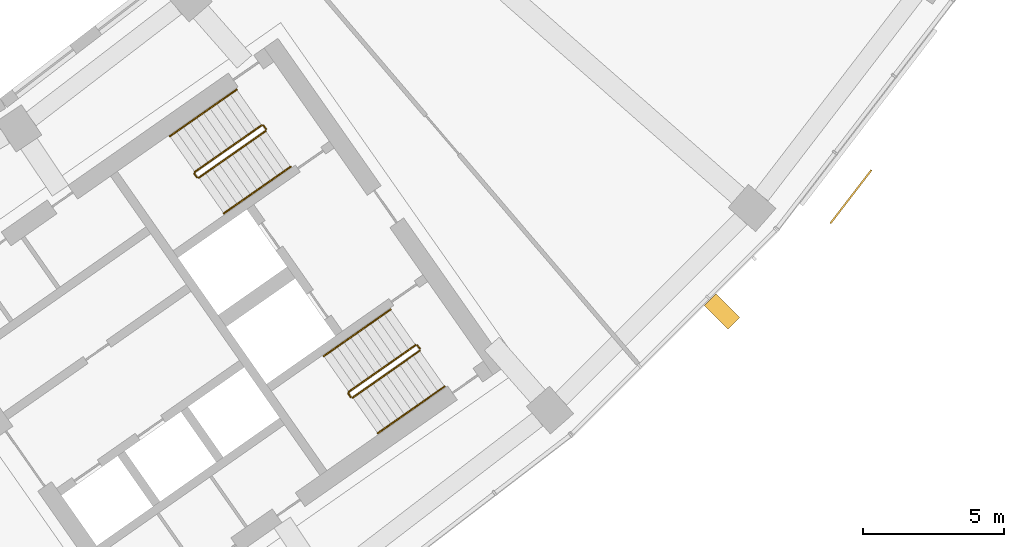
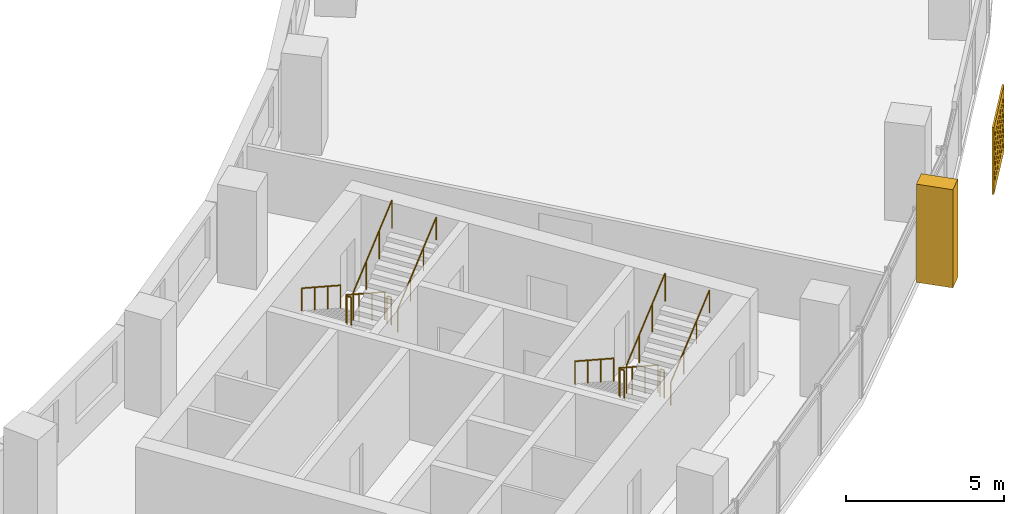
# One storey, part 26 of 26: 10 railings, 2 shading devices.
"""IFC4 building model written with IfcOpenShell, lengths in metres."""

from ifc_helpers import new_model, si_unit, direction, frame, origin, origin_2d, place, context, subcontext, project, spatial, polyline, circle, outline, extrude, material, material_profile, profile_set, type_object, element, save


model = new_model("IFC4")

# Units and contexts
model_context = context("Model", 3, precision=1e-05, world=origin(), true_north=direction((0.0, 1.0)))
body_context = subcontext(model_context, "Body", "Model", "MODEL_VIEW")
ifc_project = project(units=[si_unit("LENGTHUNIT", "METRE"), si_unit("AREAUNIT", "SQUARE_METRE"), si_unit("VOLUMEUNIT", "CUBIC_METRE"), si_unit("PLANEANGLEUNIT", "RADIAN"), si_unit("MASSUNIT", "GRAM", prefix="KILO")], contexts=[model_context])

# Site, building, storey
site_placement = place(None, origin())
site = spatial("IfcSite", under=ifc_project, at=site_placement, CompositionType="ELEMENT")
building_placement = place(site_placement, origin())
building = spatial("IfcBuilding", under=site, at=building_placement, Name="Qamariyya Broadcast Tower", CompositionType="ELEMENT")
storey_placement = place(building_placement, frame((0.0, 0.0, 183.5)))
storey = spatial("IfcBuildingStorey", under=building, at=storey_placement, Name="L43", CompositionType="ELEMENT", Elevation=183.5)

# Shading devices
ifc_material_1 = material(Name="Steel S355 powder coated deep red", Category="steel")
shading_device_type_1 = type_object("IfcShadingDeviceType", Name="Deep red frame, powder coated steel box section", PredefinedType="USERDEFINED", material=ifc_material_1)
shading_device_1_placement = place(storey_placement, origin())
element("IfcShadingDevice", 1, at=shading_device_1_placement, inside=storey, type_object=shading_device_type_1, Name="e-frm-B3-F5-postb-L43", ObjectType="FRAME", PredefinedType="USERDEFINED", context=body_context, shape_type="SweptSolid", body=[
    extrude(outline(polyline([(56.74755859375, -54.736083984375), (57.595947265625, -55.584716796875), (58.020263671875, -55.160400390625), (57.171875, -54.311767578125), (56.74755859375, -54.736083984375)])), origin(), (0.0, 0.0, 1.0), 3.800048828125),
])
ifc_material_2 = material(Name="Perforated glazed terracotta", Category="masonry")
ifc_material_profile = material_profile(ifc_material_2, outline(polyline([(-1.199951171875, -1.300048828125), (1.199951171875, -1.300048828125), (1.199951171875, 1.300048828125), (-1.199951171875, 1.300048828125), (-1.199951171875, -1.300048828125)]), holes=[polyline([(-0.81494140625, -0.86669921875), (-0.89990234375, -0.78173828125), (-0.985107421875, -0.86669921875), (-0.89990234375, -0.95166015625), (-0.81494140625, -0.86669921875)]), polyline([(-0.514892578125, -0.86669921875), (-0.60009765625, -0.78173828125), (-0.68505859375, -0.86669921875), (-0.60009765625, -0.95166015625), (-0.514892578125, -0.86669921875)]), polyline([(-0.215087890625, -0.86669921875), (-0.300048828125, -0.78173828125), (-0.385009765625, -0.86669921875), (-0.300048828125, -0.95166015625), (-0.215087890625, -0.86669921875)]), polyline([(0.0849609375, -0.86669921875), (0.0, -0.78173828125), (-0.0849609375, -0.86669921875), (0.0, -0.95166015625), (0.0849609375, -0.86669921875)]), polyline([(0.385009765625, -0.86669921875), (0.300048828125, -0.78173828125), (0.215087890625, -0.86669921875), (0.300048828125, -0.95166015625), (0.385009765625, -0.86669921875)]), polyline([(0.68505859375, -0.86669921875), (0.60009765625, -0.78173828125), (0.514892578125, -0.86669921875), (0.60009765625, -0.95166015625), (0.68505859375, -0.86669921875)]), polyline([(0.985107421875, -0.86669921875), (0.89990234375, -0.78173828125), (0.81494140625, -0.86669921875), (0.89990234375, -0.95166015625), (0.985107421875, -0.86669921875)]), polyline([(-0.965087890625, -0.577880859375), (-1.050048828125, -0.49267578125), (-1.135009765625, -0.577880859375), (-1.050048828125, -0.662841796875), (-0.965087890625, -0.577880859375)]), polyline([(-0.6650390625, -0.577880859375), (-0.75, -0.49267578125), (-0.8349609375, -0.577880859375), (-0.75, -0.662841796875), (-0.6650390625, -0.577880859375)]), polyline([(-0.364990234375, -0.577880859375), (-0.449951171875, -0.49267578125), (-0.534912109375, -0.577880859375), (-0.449951171875, -0.662841796875), (-0.364990234375, -0.577880859375)]), polyline([(-0.06494140625, -0.577880859375), (-0.14990234375, -0.49267578125), (-0.235107421875, -0.577880859375), (-0.14990234375, -0.662841796875), (-0.06494140625, -0.577880859375)]), polyline([(0.235107421875, -0.577880859375), (0.14990234375, -0.49267578125), (0.06494140625, -0.577880859375), (0.14990234375, -0.662841796875), (0.235107421875, -0.577880859375)]), polyline([(0.534912109375, -0.577880859375), (0.449951171875, -0.49267578125), (0.364990234375, -0.577880859375), (0.449951171875, -0.662841796875), (0.534912109375, -0.577880859375)]), polyline([(0.8349609375, -0.577880859375), (0.75, -0.49267578125), (0.6650390625, -0.577880859375), (0.75, -0.662841796875), (0.8349609375, -0.577880859375)]), polyline([(1.135009765625, -0.577880859375), (1.050048828125, -0.49267578125), (0.965087890625, -0.577880859375), (1.050048828125, -0.662841796875), (1.135009765625, -0.577880859375)]), polyline([(-0.81494140625, -0.288818359375), (-0.89990234375, -0.203857421875), (-0.985107421875, -0.288818359375), (-0.89990234375, -0.373779296875), (-0.81494140625, -0.288818359375)]), polyline([(-0.514892578125, -0.288818359375), (-0.60009765625, -0.203857421875), (-0.68505859375, -0.288818359375), (-0.60009765625, -0.373779296875), (-0.514892578125, -0.288818359375)]), polyline([(-0.215087890625, -0.288818359375), (-0.300048828125, -0.203857421875), (-0.385009765625, -0.288818359375), (-0.300048828125, -0.373779296875), (-0.215087890625, -0.288818359375)]), polyline([(0.0849609375, -0.288818359375), (0.0, -0.203857421875), (-0.0849609375, -0.288818359375), (0.0, -0.373779296875), (0.0849609375, -0.288818359375)]), polyline([(0.385009765625, -0.288818359375), (0.300048828125, -0.203857421875), (0.215087890625, -0.288818359375), (0.300048828125, -0.373779296875), (0.385009765625, -0.288818359375)]), polyline([(0.68505859375, -0.288818359375), (0.60009765625, -0.203857421875), (0.514892578125, -0.288818359375), (0.60009765625, -0.373779296875), (0.68505859375, -0.288818359375)]), polyline([(0.985107421875, -0.288818359375), (0.89990234375, -0.203857421875), (0.81494140625, -0.288818359375), (0.89990234375, -0.373779296875), (0.985107421875, -0.288818359375)]), polyline([(-0.965087890625, 0.0), (-1.050048828125, 0.0849609375), (-1.135009765625, 0.0), (-1.050048828125, -0.0849609375), (-0.965087890625, 0.0)]), polyline([(-0.6650390625, 0.0), (-0.75, 0.0849609375), (-0.8349609375, 0.0), (-0.75, -0.0849609375), (-0.6650390625, 0.0)]), polyline([(-0.364990234375, 0.0), (-0.449951171875, 0.0849609375), (-0.534912109375, 0.0), (-0.449951171875, -0.0849609375), (-0.364990234375, 0.0)]), polyline([(-0.06494140625, 0.0), (-0.14990234375, 0.0849609375), (-0.235107421875, 0.0), (-0.14990234375, -0.0849609375), (-0.06494140625, 0.0)]), polyline([(0.235107421875, 0.0), (0.14990234375, 0.0849609375), (0.06494140625, 0.0), (0.14990234375, -0.0849609375), (0.235107421875, 0.0)]), polyline([(0.534912109375, 0.0), (0.449951171875, 0.0849609375), (0.364990234375, 0.0), (0.449951171875, -0.0849609375), (0.534912109375, 0.0)]), polyline([(0.8349609375, 0.0), (0.75, 0.0849609375), (0.6650390625, 0.0), (0.75, -0.0849609375), (0.8349609375, 0.0)]), polyline([(1.135009765625, 0.0), (1.050048828125, 0.0849609375), (0.965087890625, 0.0), (1.050048828125, -0.0849609375), (1.135009765625, 0.0)]), polyline([(-0.81494140625, 0.288818359375), (-0.89990234375, 0.373779296875), (-0.985107421875, 0.288818359375), (-0.89990234375, 0.203857421875), (-0.81494140625, 0.288818359375)]), polyline([(-0.514892578125, 0.288818359375), (-0.60009765625, 0.373779296875), (-0.68505859375, 0.288818359375), (-0.60009765625, 0.203857421875), (-0.514892578125, 0.288818359375)]), polyline([(-0.215087890625, 0.288818359375), (-0.300048828125, 0.373779296875), (-0.385009765625, 0.288818359375), (-0.300048828125, 0.203857421875), (-0.215087890625, 0.288818359375)]), polyline([(0.0849609375, 0.288818359375), (0.0, 0.373779296875), (-0.0849609375, 0.288818359375), (0.0, 0.203857421875), (0.0849609375, 0.288818359375)]), polyline([(0.385009765625, 0.288818359375), (0.300048828125, 0.373779296875), (0.215087890625, 0.288818359375), (0.300048828125, 0.203857421875), (0.385009765625, 0.288818359375)]), polyline([(0.68505859375, 0.288818359375), (0.60009765625, 0.373779296875), (0.514892578125, 0.288818359375), (0.60009765625, 0.203857421875), (0.68505859375, 0.288818359375)]), polyline([(0.985107421875, 0.288818359375), (0.89990234375, 0.373779296875), (0.81494140625, 0.288818359375), (0.89990234375, 0.203857421875), (0.985107421875, 0.288818359375)]), polyline([(-0.965087890625, 0.577880859375), (-1.050048828125, 0.662841796875), (-1.135009765625, 0.577880859375), (-1.050048828125, 0.49267578125), (-0.965087890625, 0.577880859375)]), polyline([(-0.6650390625, 0.577880859375), (-0.75, 0.662841796875), (-0.8349609375, 0.577880859375), (-0.75, 0.49267578125), (-0.6650390625, 0.577880859375)]), polyline([(-0.364990234375, 0.577880859375), (-0.449951171875, 0.662841796875), (-0.534912109375, 0.577880859375), (-0.449951171875, 0.49267578125), (-0.364990234375, 0.577880859375)]), polyline([(-0.06494140625, 0.577880859375), (-0.14990234375, 0.662841796875), (-0.235107421875, 0.577880859375), (-0.14990234375, 0.49267578125), (-0.06494140625, 0.577880859375)]), polyline([(0.235107421875, 0.577880859375), (0.14990234375, 0.662841796875), (0.06494140625, 0.577880859375), (0.14990234375, 0.49267578125), (0.235107421875, 0.577880859375)]), polyline([(0.534912109375, 0.577880859375), (0.449951171875, 0.662841796875), (0.364990234375, 0.577880859375), (0.449951171875, 0.49267578125), (0.534912109375, 0.577880859375)]), polyline([(0.8349609375, 0.577880859375), (0.75, 0.662841796875), (0.6650390625, 0.577880859375), (0.75, 0.49267578125), (0.8349609375, 0.577880859375)]), polyline([(1.135009765625, 0.577880859375), (1.050048828125, 0.662841796875), (0.965087890625, 0.577880859375), (1.050048828125, 0.49267578125), (1.135009765625, 0.577880859375)]), polyline([(-0.81494140625, 0.86669921875), (-0.89990234375, 0.95166015625), (-0.985107421875, 0.86669921875), (-0.89990234375, 0.78173828125), (-0.81494140625, 0.86669921875)]), polyline([(-0.514892578125, 0.86669921875), (-0.60009765625, 0.95166015625), (-0.68505859375, 0.86669921875), (-0.60009765625, 0.78173828125), (-0.514892578125, 0.86669921875)]), polyline([(-0.215087890625, 0.86669921875), (-0.300048828125, 0.95166015625), (-0.385009765625, 0.86669921875), (-0.300048828125, 0.78173828125), (-0.215087890625, 0.86669921875)]), polyline([(0.0849609375, 0.86669921875), (0.0, 0.95166015625), (-0.0849609375, 0.86669921875), (0.0, 0.78173828125), (0.0849609375, 0.86669921875)]), polyline([(0.385009765625, 0.86669921875), (0.300048828125, 0.95166015625), (0.215087890625, 0.86669921875), (0.300048828125, 0.78173828125), (0.385009765625, 0.86669921875)]), polyline([(0.68505859375, 0.86669921875), (0.60009765625, 0.95166015625), (0.514892578125, 0.86669921875), (0.60009765625, 0.78173828125), (0.68505859375, 0.86669921875)]), polyline([(0.985107421875, 0.86669921875), (0.89990234375, 0.95166015625), (0.81494140625, 0.86669921875), (0.89990234375, 0.78173828125), (0.985107421875, 0.86669921875)])]))
ifc_profile_set = profile_set([ifc_material_profile], Name="Perforated glazed terracotta")
shading_device_type_2 = type_object("IfcShadingDeviceType", Name="Perforated terracotta screen 2400 x 2600", PredefinedType="USERDEFINED", material=ifc_profile_set)
shading_device_2_placement = place(storey_placement, frame((61.9501953125, -50.844970703125, 1.35009765625), z_axis=(0.792623989105, -0.60971076085, 0.0), x_axis=(0.60971076085, 0.792623989105, 0.0)))
element("IfcShadingDevice", 2, at=shading_device_2_placement, inside=storey, type_object=shading_device_type_2, Name="e-scr-L43-14-0", ObjectType="SCREEN", PredefinedType="USERDEFINED", context=body_context, shape_type="SweptSolid", body=[
    extrude(outline(polyline([(-1.199951171875, -1.300048828125), (1.199951171875, -1.300048828125), (1.199951171875, 1.300048828125), (-1.199951171875, 1.300048828125), (-1.199951171875, -1.300048828125)]), holes=[polyline([(-0.81494140625, -0.86669921875), (-0.89990234375, -0.78173828125), (-0.985107421875, -0.86669921875), (-0.89990234375, -0.95166015625), (-0.81494140625, -0.86669921875)]), polyline([(-0.514892578125, -0.86669921875), (-0.60009765625, -0.78173828125), (-0.68505859375, -0.86669921875), (-0.60009765625, -0.95166015625), (-0.514892578125, -0.86669921875)]), polyline([(-0.215087890625, -0.86669921875), (-0.300048828125, -0.78173828125), (-0.385009765625, -0.86669921875), (-0.300048828125, -0.95166015625), (-0.215087890625, -0.86669921875)]), polyline([(0.0849609375, -0.86669921875), (0.0, -0.78173828125), (-0.0849609375, -0.86669921875), (0.0, -0.95166015625), (0.0849609375, -0.86669921875)]), polyline([(0.385009765625, -0.86669921875), (0.300048828125, -0.78173828125), (0.215087890625, -0.86669921875), (0.300048828125, -0.95166015625), (0.385009765625, -0.86669921875)]), polyline([(0.68505859375, -0.86669921875), (0.60009765625, -0.78173828125), (0.514892578125, -0.86669921875), (0.60009765625, -0.95166015625), (0.68505859375, -0.86669921875)]), polyline([(0.985107421875, -0.86669921875), (0.89990234375, -0.78173828125), (0.81494140625, -0.86669921875), (0.89990234375, -0.95166015625), (0.985107421875, -0.86669921875)]), polyline([(-0.965087890625, -0.577880859375), (-1.050048828125, -0.49267578125), (-1.135009765625, -0.577880859375), (-1.050048828125, -0.662841796875), (-0.965087890625, -0.577880859375)]), polyline([(-0.6650390625, -0.577880859375), (-0.75, -0.49267578125), (-0.8349609375, -0.577880859375), (-0.75, -0.662841796875), (-0.6650390625, -0.577880859375)]), polyline([(-0.364990234375, -0.577880859375), (-0.449951171875, -0.49267578125), (-0.534912109375, -0.577880859375), (-0.449951171875, -0.662841796875), (-0.364990234375, -0.577880859375)]), polyline([(-0.06494140625, -0.577880859375), (-0.14990234375, -0.49267578125), (-0.235107421875, -0.577880859375), (-0.14990234375, -0.662841796875), (-0.06494140625, -0.577880859375)]), polyline([(0.235107421875, -0.577880859375), (0.14990234375, -0.49267578125), (0.06494140625, -0.577880859375), (0.14990234375, -0.662841796875), (0.235107421875, -0.577880859375)]), polyline([(0.534912109375, -0.577880859375), (0.449951171875, -0.49267578125), (0.364990234375, -0.577880859375), (0.449951171875, -0.662841796875), (0.534912109375, -0.577880859375)]), polyline([(0.8349609375, -0.577880859375), (0.75, -0.49267578125), (0.6650390625, -0.577880859375), (0.75, -0.662841796875), (0.8349609375, -0.577880859375)]), polyline([(1.135009765625, -0.577880859375), (1.050048828125, -0.49267578125), (0.965087890625, -0.577880859375), (1.050048828125, -0.662841796875), (1.135009765625, -0.577880859375)]), polyline([(-0.81494140625, -0.288818359375), (-0.89990234375, -0.203857421875), (-0.985107421875, -0.288818359375), (-0.89990234375, -0.373779296875), (-0.81494140625, -0.288818359375)]), polyline([(-0.514892578125, -0.288818359375), (-0.60009765625, -0.203857421875), (-0.68505859375, -0.288818359375), (-0.60009765625, -0.373779296875), (-0.514892578125, -0.288818359375)]), polyline([(-0.215087890625, -0.288818359375), (-0.300048828125, -0.203857421875), (-0.385009765625, -0.288818359375), (-0.300048828125, -0.373779296875), (-0.215087890625, -0.288818359375)]), polyline([(0.0849609375, -0.288818359375), (0.0, -0.203857421875), (-0.0849609375, -0.288818359375), (0.0, -0.373779296875), (0.0849609375, -0.288818359375)]), polyline([(0.385009765625, -0.288818359375), (0.300048828125, -0.203857421875), (0.215087890625, -0.288818359375), (0.300048828125, -0.373779296875), (0.385009765625, -0.288818359375)]), polyline([(0.68505859375, -0.288818359375), (0.60009765625, -0.203857421875), (0.514892578125, -0.288818359375), (0.60009765625, -0.373779296875), (0.68505859375, -0.288818359375)]), polyline([(0.985107421875, -0.288818359375), (0.89990234375, -0.203857421875), (0.81494140625, -0.288818359375), (0.89990234375, -0.373779296875), (0.985107421875, -0.288818359375)]), polyline([(-0.965087890625, 0.0), (-1.050048828125, 0.0849609375), (-1.135009765625, 0.0), (-1.050048828125, -0.0849609375), (-0.965087890625, 0.0)]), polyline([(-0.6650390625, 0.0), (-0.75, 0.0849609375), (-0.8349609375, 0.0), (-0.75, -0.0849609375), (-0.6650390625, 0.0)]), polyline([(-0.364990234375, 0.0), (-0.449951171875, 0.0849609375), (-0.534912109375, 0.0), (-0.449951171875, -0.0849609375), (-0.364990234375, 0.0)]), polyline([(-0.06494140625, 0.0), (-0.14990234375, 0.0849609375), (-0.235107421875, 0.0), (-0.14990234375, -0.0849609375), (-0.06494140625, 0.0)]), polyline([(0.235107421875, 0.0), (0.14990234375, 0.0849609375), (0.06494140625, 0.0), (0.14990234375, -0.0849609375), (0.235107421875, 0.0)]), polyline([(0.534912109375, 0.0), (0.449951171875, 0.0849609375), (0.364990234375, 0.0), (0.449951171875, -0.0849609375), (0.534912109375, 0.0)]), polyline([(0.8349609375, 0.0), (0.75, 0.0849609375), (0.6650390625, 0.0), (0.75, -0.0849609375), (0.8349609375, 0.0)]), polyline([(1.135009765625, 0.0), (1.050048828125, 0.0849609375), (0.965087890625, 0.0), (1.050048828125, -0.0849609375), (1.135009765625, 0.0)]), polyline([(-0.81494140625, 0.288818359375), (-0.89990234375, 0.373779296875), (-0.985107421875, 0.288818359375), (-0.89990234375, 0.203857421875), (-0.81494140625, 0.288818359375)]), polyline([(-0.514892578125, 0.288818359375), (-0.60009765625, 0.373779296875), (-0.68505859375, 0.288818359375), (-0.60009765625, 0.203857421875), (-0.514892578125, 0.288818359375)]), polyline([(-0.215087890625, 0.288818359375), (-0.300048828125, 0.373779296875), (-0.385009765625, 0.288818359375), (-0.300048828125, 0.203857421875), (-0.215087890625, 0.288818359375)]), polyline([(0.0849609375, 0.288818359375), (0.0, 0.373779296875), (-0.0849609375, 0.288818359375), (0.0, 0.203857421875), (0.0849609375, 0.288818359375)]), polyline([(0.385009765625, 0.288818359375), (0.300048828125, 0.373779296875), (0.215087890625, 0.288818359375), (0.300048828125, 0.203857421875), (0.385009765625, 0.288818359375)]), polyline([(0.68505859375, 0.288818359375), (0.60009765625, 0.373779296875), (0.514892578125, 0.288818359375), (0.60009765625, 0.203857421875), (0.68505859375, 0.288818359375)]), polyline([(0.985107421875, 0.288818359375), (0.89990234375, 0.373779296875), (0.81494140625, 0.288818359375), (0.89990234375, 0.203857421875), (0.985107421875, 0.288818359375)]), polyline([(-0.965087890625, 0.577880859375), (-1.050048828125, 0.662841796875), (-1.135009765625, 0.577880859375), (-1.050048828125, 0.49267578125), (-0.965087890625, 0.577880859375)]), polyline([(-0.6650390625, 0.577880859375), (-0.75, 0.662841796875), (-0.8349609375, 0.577880859375), (-0.75, 0.49267578125), (-0.6650390625, 0.577880859375)]), polyline([(-0.364990234375, 0.577880859375), (-0.449951171875, 0.662841796875), (-0.534912109375, 0.577880859375), (-0.449951171875, 0.49267578125), (-0.364990234375, 0.577880859375)]), polyline([(-0.06494140625, 0.577880859375), (-0.14990234375, 0.662841796875), (-0.235107421875, 0.577880859375), (-0.14990234375, 0.49267578125), (-0.06494140625, 0.577880859375)]), polyline([(0.235107421875, 0.577880859375), (0.14990234375, 0.662841796875), (0.06494140625, 0.577880859375), (0.14990234375, 0.49267578125), (0.235107421875, 0.577880859375)]), polyline([(0.534912109375, 0.577880859375), (0.449951171875, 0.662841796875), (0.364990234375, 0.577880859375), (0.449951171875, 0.49267578125), (0.534912109375, 0.577880859375)]), polyline([(0.8349609375, 0.577880859375), (0.75, 0.662841796875), (0.6650390625, 0.577880859375), (0.75, 0.49267578125), (0.8349609375, 0.577880859375)]), polyline([(1.135009765625, 0.577880859375), (1.050048828125, 0.662841796875), (0.965087890625, 0.577880859375), (1.050048828125, 0.49267578125), (1.135009765625, 0.577880859375)]), polyline([(-0.81494140625, 0.86669921875), (-0.89990234375, 0.95166015625), (-0.985107421875, 0.86669921875), (-0.89990234375, 0.78173828125), (-0.81494140625, 0.86669921875)]), polyline([(-0.514892578125, 0.86669921875), (-0.60009765625, 0.95166015625), (-0.68505859375, 0.86669921875), (-0.60009765625, 0.78173828125), (-0.514892578125, 0.86669921875)]), polyline([(-0.215087890625, 0.86669921875), (-0.300048828125, 0.95166015625), (-0.385009765625, 0.86669921875), (-0.300048828125, 0.78173828125), (-0.215087890625, 0.86669921875)]), polyline([(0.0849609375, 0.86669921875), (0.0, 0.95166015625), (-0.0849609375, 0.86669921875), (0.0, 0.78173828125), (0.0849609375, 0.86669921875)]), polyline([(0.385009765625, 0.86669921875), (0.300048828125, 0.95166015625), (0.215087890625, 0.86669921875), (0.300048828125, 0.78173828125), (0.385009765625, 0.86669921875)]), polyline([(0.68505859375, 0.86669921875), (0.60009765625, 0.95166015625), (0.514892578125, 0.86669921875), (0.60009765625, 0.78173828125), (0.68505859375, 0.86669921875)]), polyline([(0.985107421875, 0.86669921875), (0.89990234375, 0.95166015625), (0.81494140625, 0.86669921875), (0.89990234375, 0.78173828125), (0.985107421875, 0.86669921875)])]), origin(), (0.0, 0.0, 1.0), 0.06005859375),
])

# Railings
ifc_material_3 = material(Name="Painted steel", Category="steel")
railing_type_1 = type_object("IfcRailingType", Name="Stair guard", PredefinedType="GUARDRAIL", material=ifc_material_3)
railing_1_placement = place(storey_placement, frame((41.003173828125, -48.320068359375, 0.172607421875)))
element("IfcRailing", 3, at=railing_1_placement, inside=storey, type_object=railing_type_1, Name="L43 ST-E2 stair guard 1", PredefinedType="GUARDRAIL", context=body_context, shape_type="SweptSolid", body=[
    extrude(circle(Radius=0.02392578125, at=origin_2d()), frame((0.0, 0.0, 1.076171875), z_axis=(-0.703770094002, -0.492783725636, 0.511734163933), x_axis=(0.573575343427, -0.819152809562, 0.0)), (0.0, 0.0, 1.0), 3.37548828125),
    extrude(circle(Radius=0.02392578125, at=origin_2d()), frame((-2.37548828125, -1.663330078125, 2.80322265625), z_axis=(-0.172799478008, -0.984957024646, 0.0), x_axis=(0.984957024646, -0.172799478008, 0.0)), (0.0, 0.0, 1.0), 0.070556640625),
    extrude(circle(Radius=0.02392578125, at=origin_2d()), frame((-2.3876953125, -1.73291015625, 2.80322265625), z_axis=(0.572588637393, -0.819842821722, 0.0), x_axis=(0.819842821722, 0.572588637393, 0.0)), (0.0, 0.0, 1.0), 0.150146484375),
    extrude(circle(Radius=0.02099609375, at=origin_2d()), origin(), (0.0, 0.0, 1.0), 1.052001953125),
    extrude(circle(Radius=0.02099609375, at=origin_2d()), frame((-0.791748046875, -0.554443359375, 0.57568359375)), (0.0, 0.0, 1.0), 1.052001953125),
    extrude(circle(Radius=0.02099609375, at=origin_2d()), frame((-1.583740234375, -1.10888671875, 1.151611328125)), (0.0, 0.0, 1.0), 1.052001953125),
    extrude(circle(Radius=0.02099609375, at=origin_2d()), frame((-2.37548828125, -1.663330078125, 1.727294921875)), (0.0, 0.0, 1.0), 1.052001953125),
    extrude(circle(Radius=0.02099609375, at=origin_2d()), frame((-2.3876953125, -1.73291015625, 1.727294921875)), (0.0, 0.0, 1.0), 1.052001953125),
    extrude(circle(Radius=0.02099609375, at=origin_2d()), frame((-2.3017578125, -1.85595703125, 1.727294921875)), (0.0, 0.0, 1.0), 1.052001953125),
])
railing_2_placement = place(storey_placement, frame((38.771240234375, -50.188232421875, 2.07275390625)))
element("IfcRailing", 4, at=railing_2_placement, inside=storey, type_object=railing_type_1, Name="L43 ST-E2 stair guard 2", PredefinedType="GUARDRAIL", context=body_context, shape_type="SweptSolid", body=[
    extrude(circle(Radius=0.02392578125, at=origin_2d()), frame((0.0, 0.0, 1.076171875), z_axis=(0.703770094002, 0.492783725636, 0.511734163933), x_axis=(-0.573575343427, 0.819152809562, 0.0)), (0.0, 0.0, 1.0), 3.37548828125),
    extrude(circle(Radius=0.02099609375, at=origin_2d()), origin(), (0.0, 0.0, 1.0), 1.052001953125),
    extrude(circle(Radius=0.02099609375, at=origin_2d()), frame((0.791748046875, 0.554443359375, 0.57568359375)), (0.0, 0.0, 1.0), 1.052001953125),
    extrude(circle(Radius=0.02099609375, at=origin_2d()), frame((1.583740234375, 1.10888671875, 1.151611328125)), (0.0, 0.0, 1.0), 1.052001953125),
    extrude(circle(Radius=0.02099609375, at=origin_2d()), frame((2.37548828125, 1.663330078125, 1.727294921875)), (0.0, 0.0, 1.0), 1.052001953125),
])
railing_3_placement = place(storey_placement, frame((41.072998046875, -48.332275390625, 0.0)))
element("IfcRailing", 5, at=railing_3_placement, inside=storey, type_object=railing_type_1, Name="L43 ST-E2 stair guard 3", PredefinedType="GUARDRAIL", context=body_context, shape_type="SweptSolid", body=[
    extrude(circle(Radius=0.02392578125, at=origin_2d()), frame((0.0, 0.0, 1.076171875), z_axis=(0.572588637393, -0.819842821722, 0.0), x_axis=(0.819842821722, 0.572588637393, 0.0)), (0.0, 0.0, 1.0), 0.150146484375),
    extrude(circle(Radius=0.02099609375, at=origin_2d()), origin(), (0.0, 0.0, 1.0), 1.052001953125),
    extrude(circle(Radius=0.02099609375, at=origin_2d()), frame((0.0859375, -0.123046875, 0.0)), (0.0, 0.0, 1.0), 1.052001953125),
])
railing_4_placement = place(storey_placement, frame((46.48095703125, -56.14306640625, 0.172607421875)))
element("IfcRailing", 6, at=railing_4_placement, inside=storey, type_object=railing_type_1, Name="L43 ST-E1 stair guard 1", PredefinedType="GUARDRAIL", context=body_context, shape_type="SweptSolid", body=[
    extrude(circle(Radius=0.02392578125, at=origin_2d()), frame((0.0, 0.0, 1.076171875), z_axis=(-0.703770094002, -0.492783725636, 0.511734163933), x_axis=(0.573575343427, -0.819152809562, 0.0)), (0.0, 0.0, 1.0), 3.37548828125),
    extrude(circle(Radius=0.02392578125, at=origin_2d()), frame((-2.37548828125, -1.663330078125, 2.80322265625), z_axis=(-0.176149252506, -0.984363469884, 0.0), x_axis=(0.984363469884, -0.176149252506, 0.0)), (0.0, 0.0, 1.0), 0.07080078125),
    extrude(circle(Radius=0.02392578125, at=origin_2d()), frame((-2.387939453125, -1.73291015625, 2.80322265625), z_axis=(0.574444878118, -0.818543268254, 0.0), x_axis=(0.818543268254, 0.574444878118, 0.0)), (0.0, 0.0, 1.0), 0.150146484375),
    extrude(circle(Radius=0.02099609375, at=origin_2d()), origin(), (0.0, 0.0, 1.0), 1.052001953125),
    extrude(circle(Radius=0.02099609375, at=origin_2d()), frame((-0.791748046875, -0.554443359375, 0.57568359375)), (0.0, 0.0, 1.0), 1.052001953125),
    extrude(circle(Radius=0.02099609375, at=origin_2d()), frame((-1.583740234375, -1.10888671875, 1.151611328125)), (0.0, 0.0, 1.0), 1.052001953125),
    extrude(circle(Radius=0.02099609375, at=origin_2d()), frame((-2.37548828125, -1.663330078125, 1.727294921875)), (0.0, 0.0, 1.0), 1.052001953125),
    extrude(circle(Radius=0.02099609375, at=origin_2d()), frame((-2.387939453125, -1.73291015625, 1.727294921875)), (0.0, 0.0, 1.0), 1.052001953125),
    extrude(circle(Radius=0.02099609375, at=origin_2d()), frame((-2.3017578125, -1.855712890625, 1.727294921875)), (0.0, 0.0, 1.0), 1.052001953125),
])
railing_5_placement = place(storey_placement, frame((44.248779296875, -58.01123046875, 2.07275390625)))
element("IfcRailing", 7, at=railing_5_placement, inside=storey, type_object=railing_type_1, Name="L43 ST-E1 stair guard 2", PredefinedType="GUARDRAIL", context=body_context, shape_type="SweptSolid", body=[
    extrude(circle(Radius=0.02392578125, at=origin_2d()), frame((0.0, 0.0, 1.076171875), z_axis=(0.703745009021, 0.492838488332, 0.511715923826), x_axis=(-0.573631830683, 0.819113253969, 0.0)), (0.0, 0.0, 1.0), 3.37548828125),
    extrude(circle(Radius=0.02099609375, at=origin_2d()), origin(), (0.0, 0.0, 1.0), 1.052001953125),
    extrude(circle(Radius=0.02099609375, at=origin_2d()), frame((0.791748046875, 0.554443359375, 0.57568359375)), (0.0, 0.0, 1.0), 1.052001953125),
    extrude(circle(Radius=0.02099609375, at=origin_2d()), frame((1.583740234375, 1.109130859375, 1.151611328125)), (0.0, 0.0, 1.0), 1.052001953125),
    extrude(circle(Radius=0.02099609375, at=origin_2d()), frame((2.37548828125, 1.66357421875, 1.727294921875)), (0.0, 0.0, 1.0), 1.052001953125),
])
railing_6_placement = place(storey_placement, frame((46.550537109375, -56.1552734375, 0.0)))
element("IfcRailing", 8, at=railing_6_placement, inside=storey, type_object=railing_type_1, Name="L43 ST-E1 stair guard 3", PredefinedType="GUARDRAIL", context=body_context, shape_type="SweptSolid", body=[
    extrude(circle(Radius=0.02392578125, at=origin_2d()), frame((0.0, 0.0, 1.076171875), z_axis=(0.574444878118, -0.818543268254, 0.0), x_axis=(0.818543268254, 0.574444878118, 0.0)), (0.0, 0.0, 1.0), 0.150146484375),
    extrude(circle(Radius=0.02099609375, at=origin_2d()), origin(), (0.0, 0.0, 1.0), 1.052001953125),
    extrude(circle(Radius=0.02099609375, at=origin_2d()), frame((0.086181640625, -0.122802734375, 0.0)), (0.0, 0.0, 1.0), 1.052001953125),
])
ifc_material_4 = material(Name="Stainless steel", Category="steel")
railing_type_2 = type_object("IfcRailingType", Name="Stair handrail", PredefinedType="HANDRAIL", material=ifc_material_4)
railing_7_placement = place(storey_placement, frame((40.1142578125, -47.05029296875, 0.172607421875)))
element("IfcRailing", 9, at=railing_7_placement, inside=storey, type_object=railing_type_2, Name="L43 ST-E2 stair handrail 1", PredefinedType="HANDRAIL", context=body_context, shape_type="SweptSolid", body=[
    extrude(circle(Radius=0.02392578125, at=origin_2d()), frame((0.0, 0.0, 0.8759765625), z_axis=(-0.703745009021, -0.492838488332, 0.511715923826), x_axis=(0.573631830683, -0.819113253969, 0.0)), (0.0, 0.0, 1.0), 3.37548828125),
    extrude(circle(Radius=0.02099609375, at=origin_2d()), origin(), (0.0, 0.0, 1.0), 0.851806640625),
    extrude(circle(Radius=0.02099609375, at=origin_2d()), frame((-0.791748046875, -0.554443359375, 0.57568359375)), (0.0, 0.0, 1.0), 0.851806640625),
    extrude(circle(Radius=0.02099609375, at=origin_2d()), frame((-1.583740234375, -1.109130859375, 1.151611328125)), (0.0, 0.0, 1.0), 0.851806640625),
    extrude(circle(Radius=0.02099609375, at=origin_2d()), frame((-2.37548828125, -1.66357421875, 1.727294921875)), (0.0, 0.0, 1.0), 0.851806640625),
])
railing_8_placement = place(storey_placement, frame((39.66015625, -51.4580078125, 2.07275390625)))
element("IfcRailing", 10, at=railing_8_placement, inside=storey, type_object=railing_type_2, Name="L43 ST-E2 stair handrail 2", PredefinedType="HANDRAIL", context=body_context, shape_type="SweptSolid", body=[
    extrude(circle(Radius=0.02392578125, at=origin_2d()), frame((0.0, 0.0, 0.8759765625), z_axis=(0.703745009021, 0.492838488332, 0.511715923826), x_axis=(-0.573631830683, 0.819113253969, 0.0)), (0.0, 0.0, 1.0), 3.37548828125),
    extrude(circle(Radius=0.02099609375, at=origin_2d()), origin(), (0.0, 0.0, 1.0), 0.851806640625),
    extrude(circle(Radius=0.02099609375, at=origin_2d()), frame((0.791748046875, 0.554443359375, 0.57568359375)), (0.0, 0.0, 1.0), 0.851806640625),
    extrude(circle(Radius=0.02099609375, at=origin_2d()), frame((1.583740234375, 1.109130859375, 1.151611328125)), (0.0, 0.0, 1.0), 0.851806640625),
    extrude(circle(Radius=0.02099609375, at=origin_2d()), frame((2.37548828125, 1.66357421875, 1.727294921875)), (0.0, 0.0, 1.0), 0.851806640625),
])
railing_9_placement = place(storey_placement, frame((45.591796875, -54.873291015625, 0.172607421875)))
element("IfcRailing", 11, at=railing_9_placement, inside=storey, type_object=railing_type_2, Name="L43 ST-E1 stair handrail 1", PredefinedType="HANDRAIL", context=body_context, shape_type="SweptSolid", body=[
    extrude(circle(Radius=0.02392578125, at=origin_2d()), frame((0.0, 0.0, 0.8759765625), z_axis=(-0.703770094002, -0.492783725636, 0.511734163933), x_axis=(0.573575343427, -0.819152809562, 0.0)), (0.0, 0.0, 1.0), 3.37548828125),
    extrude(circle(Radius=0.02099609375, at=origin_2d()), origin(), (0.0, 0.0, 1.0), 0.851806640625),
    extrude(circle(Radius=0.02099609375, at=origin_2d()), frame((-0.791748046875, -0.554443359375, 0.57568359375)), (0.0, 0.0, 1.0), 0.851806640625),
    extrude(circle(Radius=0.02099609375, at=origin_2d()), frame((-1.583740234375, -1.10888671875, 1.151611328125)), (0.0, 0.0, 1.0), 0.851806640625),
    extrude(circle(Radius=0.02099609375, at=origin_2d()), frame((-2.37548828125, -1.663330078125, 1.727294921875)), (0.0, 0.0, 1.0), 0.851806640625),
])
railing_10_placement = place(storey_placement, frame((45.137939453125, -59.28076171875, 2.07275390625)))
element("IfcRailing", 12, at=railing_10_placement, inside=storey, type_object=railing_type_2, Name="L43 ST-E1 stair handrail 2", PredefinedType="HANDRAIL", context=body_context, shape_type="SweptSolid", body=[
    extrude(circle(Radius=0.02392578125, at=origin_2d()), frame((0.0, 0.0, 0.8759765625), z_axis=(0.703770094002, 0.492783725636, 0.511734163933), x_axis=(-0.573575343427, 0.819152809562, 0.0)), (0.0, 0.0, 1.0), 3.37548828125),
    extrude(circle(Radius=0.02099609375, at=origin_2d()), origin(), (0.0, 0.0, 1.0), 0.851806640625),
    extrude(circle(Radius=0.02099609375, at=origin_2d()), frame((0.791748046875, 0.554443359375, 0.57568359375)), (0.0, 0.0, 1.0), 0.851806640625),
    extrude(circle(Radius=0.02099609375, at=origin_2d()), frame((1.583740234375, 1.10888671875, 1.151611328125)), (0.0, 0.0, 1.0), 0.851806640625),
    extrude(circle(Radius=0.02099609375, at=origin_2d()), frame((2.37548828125, 1.663330078125, 1.727294921875)), (0.0, 0.0, 1.0), 0.851806640625),
])

save(model, "model.ifc")
